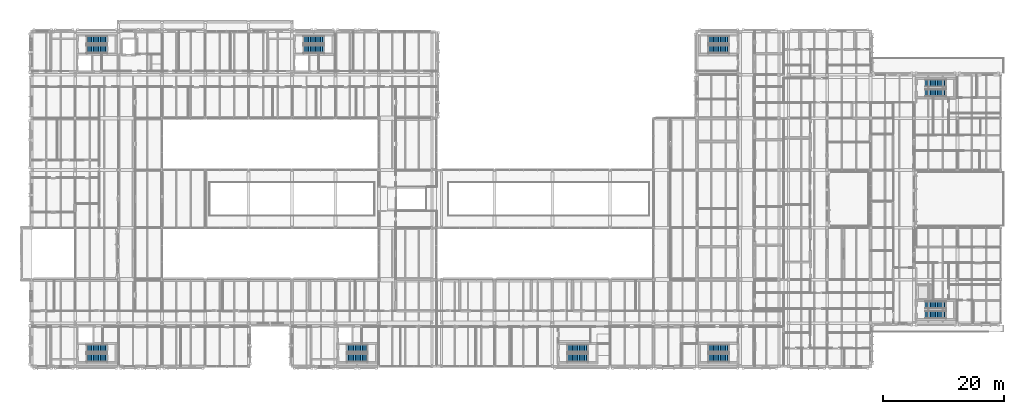
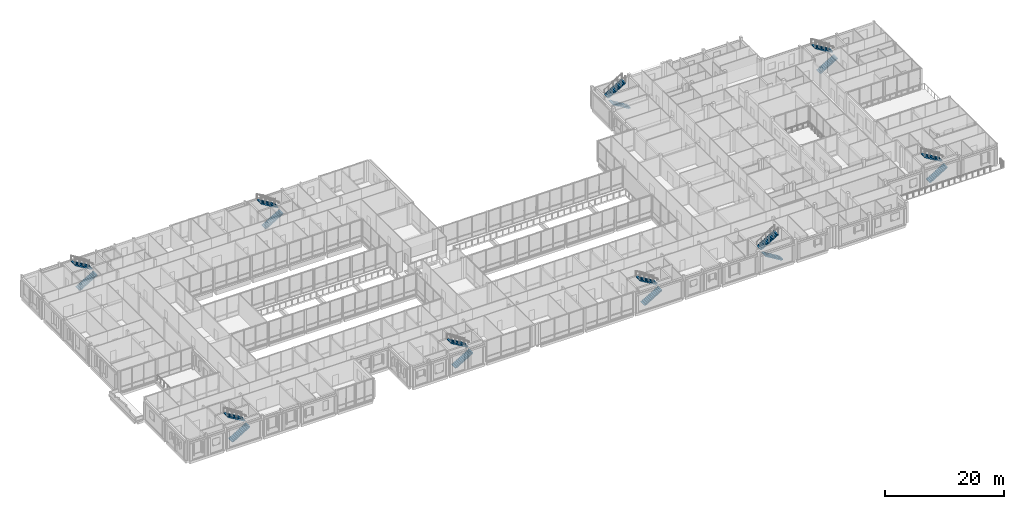
# One storey, part 124 of 146: 18 stair flights, 9 elements without a shape of their own.
"""IFC4 building model written with IfcOpenShell, lengths in metres."""

import ifcopenshell
import ifcopenshell.guid

model = None  # the IFC model being written
_history = None  # IfcOwnerHistory: only IFC2X3 demands one
_inside = {}  # id of a spatial element -> (the spatial element, [elements in it])
_under = {}  # id of a project, library or spatial element -> (it, [spatial elements below it])
_declared = {}  # id of a project -> (the project, [libraries it declares])
_typed = {}  # id of a type object -> (the type object, [elements of that type])
_made_of = {}  # id of a material, layer set ... -> (it, [elements and type objects made of it])


def new_model(schema):
    """Start an empty IFC model of exactly this schema.

    Asked for "IFC4X3", IfcOpenShell would pick the latest addendum, in which some entities
    have other attributes; the version numbers below select the first issue.
    IFC2X3 requires an IfcOwnerHistory on every rooted entity: one is made here for all.
    """
    global model, _history
    if schema == "IFC4X3":
        model = ifcopenshell.file(schema_version=(4, 3, 0, 0))
    else:
        model = ifcopenshell.file(schema=schema)
    _inside.clear()
    _under.clear()
    _declared.clear()
    _typed.clear()
    _made_of.clear()
    _history = None
    if model.schema == "IFC2X3":
        org = make("IfcOrganization", Name="unknown")
        user = make(
            "IfcPersonAndOrganization",
            ThePerson=make("IfcPerson", FamilyName="unknown"),
            TheOrganization=org,
        )
        app = make(
            "IfcApplication",
            ApplicationDeveloper=org,
            Version="unknown",
            ApplicationFullName="unknown",
            ApplicationIdentifier="unknown",
        )
        _history = make(
            "IfcOwnerHistory",
            OwningUser=user,
            OwningApplication=app,
            ChangeAction="ADDED",
            CreationDate=0,
        )
    return model


def make(cls, **values):
    """One entity of the class cls with the attributes given. An attribute that is None is left unset."""
    return model.create_entity(
        cls, **{name: value for name, value in values.items() if value is not None}
    )


def rooted(cls, **values):
    """An entity with a GlobalId (a new one), such as an element, a storey or a relation."""
    return make(cls, GlobalId=ifcopenshell.guid.new(), OwnerHistory=_history, **values)


def si_unit(unit_type, name, prefix=None):
    """IfcSIUnit, for example si_unit("LENGTHUNIT", "METRE", prefix="MILLI")."""
    return make("IfcSIUnit", UnitType=unit_type, Prefix=prefix, Name=name)


def assignment(units):
    """IfcUnitAssignment: the units of a project."""
    return None if units is None else make("IfcUnitAssignment", Units=units)


def point(xyz):
    """IfcCartesianPoint."""
    return None if xyz is None else make("IfcCartesianPoint", Coordinates=xyz)


def direction(xyz):
    """IfcDirection."""
    return None if xyz is None else make("IfcDirection", DirectionRatios=xyz)


def frame(location, z_axis=None, x_axis=None):
    """IfcAxis2Placement3D, a coordinate frame: its origin and axes. An axis left out is left unset."""
    return make(
        "IfcAxis2Placement3D",
        Location=point(location),
        Axis=direction(z_axis),
        RefDirection=direction(x_axis),
    )


def origin():
    """The frame at (0, 0, 0) with its axes left unset."""
    return frame((0.0, 0.0, 0.0))


def place(relative_to, where):
    """IfcLocalPlacement: puts the frame where relative to a parent placement (None: the world)."""
    return make(
        "IfcLocalPlacement", PlacementRelTo=relative_to, RelativePlacement=where
    )


def context(
    kind, dimensions, precision=None, world=None, true_north=None, identifier=None
):
    """IfcGeometricRepresentationContext, for example the 3D "Model" context."""
    return make(
        "IfcGeometricRepresentationContext",
        ContextIdentifier=identifier,
        ContextType=kind,
        CoordinateSpaceDimension=dimensions,
        Precision=precision,
        WorldCoordinateSystem=world,
        TrueNorth=true_north,
    )


def subcontext(parent, identifier, kind, view, scale=None):
    """IfcGeometricRepresentationSubContext, for example "Body" below "Model"."""
    return make(
        "IfcGeometricRepresentationSubContext",
        ContextIdentifier=identifier,
        ContextType=kind,
        ParentContext=parent,
        TargetScale=scale,
        TargetView=view,
    )


def project(units=None, contexts=None):
    """IfcProject with its units and contexts."""
    return rooted(
        "IfcProject",
        Name="project",
        RepresentationContexts=contexts,
        UnitsInContext=assignment(units),
    )


def spatial(cls, under=None, at=None, **own):
    """A site, building, storey or space (cls), placed at a placement, below another one or the project."""
    s = rooted(cls, ObjectPlacement=at, **own)
    if under is not None:
        _under.setdefault(under.id(), (under, []))[1].append(s)
    return s


def polyline(points):
    """IfcPolyline through the points."""
    return make("IfcPolyline", Points=[point(p) for p in points])


def outline(outer, holes=None, kind="AREA"):
    """IfcArbitraryClosedProfileDef: a profile drawn as a closed curve; with holes, ...WithVoids."""
    if holes is None:
        return make("IfcArbitraryClosedProfileDef", ProfileType=kind, OuterCurve=outer)
    return make(
        "IfcArbitraryProfileDefWithVoids",
        ProfileType=kind,
        OuterCurve=outer,
        InnerCurves=holes,
    )


def extrude(swept, where, along, depth):
    """IfcExtrudedAreaSolid: the profile swept, set in the frame where, extruded along a direction by depth."""
    return make(
        "IfcExtrudedAreaSolid",
        SweptArea=swept,
        Position=where,
        ExtrudedDirection=direction(along),
        Depth=depth,
    )


def shape(context_of_items, identifier, shape_type, items):
    """IfcShapeRepresentation: the items that make up one representation, for example the "Body"."""
    return make(
        "IfcShapeRepresentation",
        ContextOfItems=context_of_items,
        RepresentationIdentifier=identifier,
        RepresentationType=shape_type,
        Items=items,
    )


def material(Name=None, Category=None):
    """IfcMaterial."""
    return make("IfcMaterial", Name=Name, Category=Category)


def made_of(thing, what):
    """Note that an element or type object is made of a material, layer set ...; save() writes the relation."""
    if what is not None:
        _made_of.setdefault(what.id(), (what, []))[1].append(thing)
    return thing


def type_object(cls, material=None, **own):
    """A type object (cls), such as IfcWallType, which elements share."""
    return made_of(rooted(cls, **own), material)


def element(
    cls,
    number,
    at=None,
    inside=None,
    cuts=None,
    type_object=None,
    material=None,
    context=None,
    identifier="Body",
    shape_type=None,
    held_by="IfcProductDefinitionShape",
    body=None,
    shapes=None,
    **own,
):
    """One element of the class cls, such as IfcWall. Its Tag is "e" and its number.

    at: its placement. inside: the storey or other place that contains it. cuts: it is an
    opening in that element (IfcRelVoidsElement). A single representation is given by context,
    identifier, shape_type and body (its items); several are given by shapes. held_by: the class
    of the entity that holds the representations. save() writes the other relations.
    """
    e = rooted(cls, Tag="e%d" % number, ObjectPlacement=at, **own)
    if body is not None:
        shapes = [shape(context, identifier, shape_type, body)]
    if shapes is not None:
        e.Representation = make(held_by, Representations=shapes)
    if inside is not None:
        _inside.setdefault(inside.id(), (inside, []))[1].append(e)
    if cuts is not None:
        rooted(
            "IfcRelVoidsElement", RelatingBuildingElement=cuts, RelatedOpeningElement=e
        )
    if type_object is not None:
        _typed.setdefault(type_object.id(), (type_object, []))[1].append(e)
    return made_of(e, material)


def aggregate(whole, parts):
    """IfcRelAggregates: a whole, such as a stair, and the parts it consists of."""
    return rooted("IfcRelAggregates", RelatingObject=whole, RelatedObjects=parts)


def save(model, path):
    """Write the relations noted so far, then the file.

    IfcRelAggregates (storeys below a building ...), IfcRelContainedInSpatialStructure (elements
    in a storey), IfcRelDefinesByType, IfcRelAssociatesMaterial and IfcRelDeclares: one each for
    every whole, place, type object, material and project.
    """
    for whole, parts in _under.values():
        aggregate(whole, parts)
    for where, things in _inside.values():
        rooted(
            "IfcRelContainedInSpatialStructure",
            RelatedElements=things,
            RelatingStructure=where,
        )
    for kind, things in _typed.values():
        rooted("IfcRelDefinesByType", RelatedObjects=things, RelatingType=kind)
    for what, things in _made_of.values():
        rooted("IfcRelAssociatesMaterial", RelatedObjects=things, RelatingMaterial=what)
    for by, libraries in _declared.values():
        rooted("IfcRelDeclares", RelatingContext=by, RelatedDefinitions=libraries)
    model.write(path)


model = new_model("IFC4")

# Units and contexts
model_context = context("Model", 3, precision=1e-05, world=origin(), true_north=direction((0.0, 1.0)))
body_context = subcontext(model_context, "Body", "Model", "MODEL_VIEW")
ifc_project = project(units=[si_unit("LENGTHUNIT", "METRE"), si_unit("AREAUNIT", "SQUARE_METRE"), si_unit("VOLUMEUNIT", "CUBIC_METRE"), si_unit("PLANEANGLEUNIT", "RADIAN"), si_unit("MASSUNIT", "GRAM", prefix="KILO")], contexts=[model_context])

# Site, building, storey
site_placement = place(None, origin())
site = spatial("IfcSite", under=ifc_project, at=site_placement, CompositionType="ELEMENT")
building_placement = place(site_placement, origin())
building = spatial("IfcBuilding", under=site, at=building_placement, Name="Hawrajan Terrace Health Centre", CompositionType="ELEMENT")
storey_placement = place(building_placement, frame((0.0, 0.0, 4.5)))
storey = spatial("IfcBuildingStorey", under=building, at=storey_placement, Name="L01", CompositionType="ELEMENT", Elevation=4.5)

# Stair, stair flights
ifc_material = material(Name="Concrete C40/50", Category="concrete")
stair_type_1 = type_object("IfcStairType", Name="Stair_4500_W1250", PredefinedType="HALF_TURN_STAIR", material=ifc_material)
stair_1_placement = place(storey_placement, origin())
stair_1 = element("IfcStair", 1, at=stair_1_placement, inside=storey, type_object=stair_type_1, Name="Stair ST-8-L01", PredefinedType="HALF_TURN_STAIR")
stair_flight_type_1 = type_object("IfcStairFlightType", Name="StairFlight_4500_W1250", PredefinedType="STRAIGHT", material=ifc_material)
stair_flight_1_placement = place(storey_placement, frame((152.875, 12.784912109375, 0.0), z_axis=(0.0, 0.0, 1.0), x_axis=(1.0, 0.0, 0.0)))
stair_flight_1 = element("IfcStairFlight", 2, at=stair_flight_1_placement, type_object=stair_flight_type_1, Name="Stair flight ST-8-L01-F1", NumberOfRisers=13, NumberOfTreads=12, PredefinedType="STRAIGHT", RiserHeight=0.173077, TreadLength=0.2875, context=body_context, shape_type="SweptSolid", body=[
    extrude(outline(polyline([(0.0, 0.0), (0.0, 0.173095703125), (0.28759765625, 0.173095703125), (0.28759765625, 0.34619140625), (0.574951171875, 0.34619140625), (0.574951171875, 0.519287109375), (0.862548828125, 0.519287109375), (0.862548828125, 0.6923828125), (1.14990234375, 0.6923828125), (1.14990234375, 0.865478515625), (1.4375, 0.865478515625), (1.4375, 1.03857421875), (1.72509765625, 1.03857421875), (1.72509765625, 1.21142578125), (2.012451171875, 1.21142578125), (2.012451171875, 1.384521484375), (2.300048828125, 1.384521484375), (2.300048828125, 1.5576171875), (2.58740234375, 1.5576171875), (2.58740234375, 1.730712890625), (2.875, 1.730712890625), (2.875, 1.90380859375), (3.16259765625, 1.90380859375), (3.16259765625, 2.076904296875), (3.449951171875, 2.076904296875), (3.449951171875, 2.25), (3.449951171875, 1.866943359375), (0.348876953125, 0.0), (0.0, 0.0)])), frame((0.0, 0.625, 0.0), z_axis=(0.0, -1.0, 0.0), x_axis=(1.0, 0.0, 0.0)), (0.0, 0.0, 1.0), 1.25),
])
stair_flight_2_placement = place(storey_placement, frame((156.324951171875, 14.4150390625, 2.25), z_axis=(0.0, 0.0, 1.0), x_axis=(-1.0, 0.0, 0.0)))
stair_flight_2 = element("IfcStairFlight", 3, at=stair_flight_2_placement, type_object=stair_flight_type_1, Name="Stair flight ST-8-L01-F2", NumberOfRisers=13, NumberOfTreads=12, PredefinedType="STRAIGHT", RiserHeight=0.173077, TreadLength=0.2875, context=body_context, shape_type="SweptSolid", body=[
    extrude(outline(polyline([(0.0, 0.0), (0.0, 0.173095703125), (0.28759765625, 0.173095703125), (0.28759765625, 0.34619140625), (0.574951171875, 0.34619140625), (0.574951171875, 0.519287109375), (0.862548828125, 0.519287109375), (0.862548828125, 0.6923828125), (1.14990234375, 0.6923828125), (1.14990234375, 0.865478515625), (1.4375, 0.865478515625), (1.4375, 1.03857421875), (1.72509765625, 1.03857421875), (1.72509765625, 1.21142578125), (2.012451171875, 1.21142578125), (2.012451171875, 1.384521484375), (2.300048828125, 1.384521484375), (2.300048828125, 1.5576171875), (2.58740234375, 1.5576171875), (2.58740234375, 1.730712890625), (2.875, 1.730712890625), (2.875, 1.90380859375), (3.16259765625, 1.90380859375), (3.16259765625, 2.076904296875), (3.449951171875, 2.076904296875), (3.449951171875, 2.25), (3.449951171875, 1.866943359375), (0.348876953125, 0.0), (0.0, 0.0)])), frame((0.0, 0.625, 0.0), z_axis=(0.0, -1.0, 0.0), x_axis=(1.0, 0.0, 0.0)), (0.0, 0.0, 1.0), 1.25),
])
aggregate(stair_1, [stair_flight_1, stair_flight_2])

stair_2_placement = place(storey_placement, origin())
stair_2 = element("IfcStair", 4, at=stair_2_placement, inside=storey, type_object=stair_type_1, Name="Stair ST-9-L01", PredefinedType="HALF_TURN_STAIR")
stair_flight_3_placement = place(storey_placement, frame((152.875, 49.5849609375, 0.0), z_axis=(0.0, 0.0, 1.0), x_axis=(1.0, 0.0, 0.0)))
stair_flight_3 = element("IfcStairFlight", 5, at=stair_flight_3_placement, type_object=stair_flight_type_1, Name="Stair flight ST-9-L01-F1", NumberOfRisers=13, NumberOfTreads=12, PredefinedType="STRAIGHT", RiserHeight=0.173077, TreadLength=0.2875, context=body_context, shape_type="SweptSolid", body=[
    extrude(outline(polyline([(0.0, 0.0), (0.0, 0.173095703125), (0.28759765625, 0.173095703125), (0.28759765625, 0.34619140625), (0.574951171875, 0.34619140625), (0.574951171875, 0.519287109375), (0.862548828125, 0.519287109375), (0.862548828125, 0.6923828125), (1.14990234375, 0.6923828125), (1.14990234375, 0.865478515625), (1.4375, 0.865478515625), (1.4375, 1.03857421875), (1.72509765625, 1.03857421875), (1.72509765625, 1.21142578125), (2.012451171875, 1.21142578125), (2.012451171875, 1.384521484375), (2.300048828125, 1.384521484375), (2.300048828125, 1.5576171875), (2.58740234375, 1.5576171875), (2.58740234375, 1.730712890625), (2.875, 1.730712890625), (2.875, 1.90380859375), (3.16259765625, 1.90380859375), (3.16259765625, 2.076904296875), (3.449951171875, 2.076904296875), (3.449951171875, 2.25), (3.449951171875, 1.866943359375), (0.348876953125, 0.0), (0.0, 0.0)])), frame((0.0, 0.625, 0.0), z_axis=(0.0, -1.0, 0.0), x_axis=(1.0, 0.0, 0.0)), (0.0, 0.0, 1.0), 1.25),
])
stair_flight_4_placement = place(storey_placement, frame((156.324951171875, 51.215087890625, 2.25), z_axis=(0.0, 0.0, 1.0), x_axis=(-1.0, 0.0, 0.0)))
stair_flight_4 = element("IfcStairFlight", 6, at=stair_flight_4_placement, type_object=stair_flight_type_1, Name="Stair flight ST-9-L01-F2", NumberOfRisers=13, NumberOfTreads=12, PredefinedType="STRAIGHT", RiserHeight=0.173077, TreadLength=0.2875, context=body_context, shape_type="SweptSolid", body=[
    extrude(outline(polyline([(0.0, 0.0), (0.0, 0.173095703125), (0.28759765625, 0.173095703125), (0.28759765625, 0.34619140625), (0.574951171875, 0.34619140625), (0.574951171875, 0.519287109375), (0.862548828125, 0.519287109375), (0.862548828125, 0.6923828125), (1.14990234375, 0.6923828125), (1.14990234375, 0.865478515625), (1.4375, 0.865478515625), (1.4375, 1.03857421875), (1.72509765625, 1.03857421875), (1.72509765625, 1.21142578125), (2.012451171875, 1.21142578125), (2.012451171875, 1.384521484375), (2.300048828125, 1.384521484375), (2.300048828125, 1.5576171875), (2.58740234375, 1.5576171875), (2.58740234375, 1.730712890625), (2.875, 1.730712890625), (2.875, 1.90380859375), (3.16259765625, 1.90380859375), (3.16259765625, 2.076904296875), (3.449951171875, 2.076904296875), (3.449951171875, 2.25), (3.449951171875, 1.866943359375), (0.348876953125, 0.0), (0.0, 0.0)])), frame((0.0, 0.625, 0.0), z_axis=(0.0, -1.0, 0.0), x_axis=(1.0, 0.0, 0.0)), (0.0, 0.0, 1.0), 1.25),
])
aggregate(stair_2, [stair_flight_3, stair_flight_4])

stair_type_2 = type_object("IfcStairType", Name="Stair_4500_W1300", PredefinedType="HALF_TURN_STAIR", material=ifc_material)
stair_3_placement = place(storey_placement, origin())
stair_3 = element("IfcStair", 7, at=stair_3_placement, inside=storey, type_object=stair_type_2, Name="Stair ST-1-L01", PredefinedType="HALF_TURN_STAIR")
stair_flight_type_2 = type_object("IfcStairFlightType", Name="StairFlight_4500_W1300", PredefinedType="STRAIGHT", material=ifc_material)
stair_flight_5_placement = place(storey_placement, frame((13.675048828125, 56.81005859375, 0.0), z_axis=(0.0, 0.0, 1.0), x_axis=(1.0, 0.0, 0.0)))
stair_flight_5 = element("IfcStairFlight", 8, at=stair_flight_5_placement, type_object=stair_flight_type_2, Name="Stair flight ST-1-L01-F1", NumberOfRisers=13, NumberOfTreads=12, PredefinedType="STRAIGHT", RiserHeight=0.173077, TreadLength=0.2875, context=body_context, shape_type="SweptSolid", body=[
    extrude(outline(polyline([(0.0, 0.0), (0.0, 0.173095703125), (0.28759765625, 0.173095703125), (0.28759765625, 0.34619140625), (0.574951171875, 0.34619140625), (0.574951171875, 0.519287109375), (0.862548828125, 0.519287109375), (0.862548828125, 0.6923828125), (1.14990234375, 0.6923828125), (1.14990234375, 0.865478515625), (1.4375, 0.865478515625), (1.4375, 1.03857421875), (1.72509765625, 1.03857421875), (1.72509765625, 1.21142578125), (2.012451171875, 1.21142578125), (2.012451171875, 1.384521484375), (2.300048828125, 1.384521484375), (2.300048828125, 1.5576171875), (2.58740234375, 1.5576171875), (2.58740234375, 1.730712890625), (2.875, 1.730712890625), (2.875, 1.90380859375), (3.16259765625, 1.90380859375), (3.16259765625, 2.076904296875), (3.449951171875, 2.076904296875), (3.449951171875, 2.25), (3.449951171875, 1.866943359375), (0.348876953125, 0.0), (0.0, 0.0)])), frame((0.0, 0.64990234375, 0.0), z_axis=(0.0, -1.0, 0.0), x_axis=(1.0, 0.0, 0.0)), (0.0, 0.0, 1.0), 1.300048828125),
])
stair_flight_6_placement = place(storey_placement, frame((17.125, 58.389892578125, 2.25), z_axis=(0.0, 0.0, 1.0), x_axis=(-1.0, 0.0, 0.0)))
stair_flight_6 = element("IfcStairFlight", 9, at=stair_flight_6_placement, type_object=stair_flight_type_2, Name="Stair flight ST-1-L01-F2", NumberOfRisers=13, NumberOfTreads=12, PredefinedType="STRAIGHT", RiserHeight=0.173077, TreadLength=0.2875, context=body_context, shape_type="SweptSolid", body=[
    extrude(outline(polyline([(0.0, 0.0), (0.0, 0.173095703125), (0.28759765625, 0.173095703125), (0.28759765625, 0.34619140625), (0.574951171875, 0.34619140625), (0.574951171875, 0.519287109375), (0.862548828125, 0.519287109375), (0.862548828125, 0.6923828125), (1.14990234375, 0.6923828125), (1.14990234375, 0.865478515625), (1.4375, 0.865478515625), (1.4375, 1.03857421875), (1.72509765625, 1.03857421875), (1.72509765625, 1.21142578125), (2.012451171875, 1.21142578125), (2.012451171875, 1.384521484375), (2.300048828125, 1.384521484375), (2.300048828125, 1.5576171875), (2.58740234375, 1.5576171875), (2.58740234375, 1.730712890625), (2.875, 1.730712890625), (2.875, 1.90380859375), (3.16259765625, 1.90380859375), (3.16259765625, 2.076904296875), (3.449951171875, 2.076904296875), (3.449951171875, 2.25), (3.449951171875, 1.866943359375), (0.348876953125, 0.0), (0.0, 0.0)])), frame((0.0, 0.64990234375, 0.0), z_axis=(0.0, -1.0, 0.0), x_axis=(1.0, 0.0, 0.0)), (0.0, 0.0, 1.0), 1.300048828125),
])
aggregate(stair_3, [stair_flight_5, stair_flight_6])

stair_4_placement = place(storey_placement, origin())
stair_4 = element("IfcStair", 10, at=stair_4_placement, inside=storey, type_object=stair_type_2, Name="Stair ST-2-L01", PredefinedType="HALF_TURN_STAIR")
stair_flight_7_placement = place(storey_placement, frame((49.675048828125, 56.81005859375, 0.0), z_axis=(0.0, 0.0, 1.0), x_axis=(1.0, 0.0, 0.0)))
stair_flight_7 = element("IfcStairFlight", 11, at=stair_flight_7_placement, type_object=stair_flight_type_2, Name="Stair flight ST-2-L01-F1", NumberOfRisers=13, NumberOfTreads=12, PredefinedType="STRAIGHT", RiserHeight=0.173077, TreadLength=0.2875, context=body_context, shape_type="SweptSolid", body=[
    extrude(outline(polyline([(0.0, 0.0), (0.0, 0.173095703125), (0.28759765625, 0.173095703125), (0.28759765625, 0.34619140625), (0.574951171875, 0.34619140625), (0.574951171875, 0.519287109375), (0.862548828125, 0.519287109375), (0.862548828125, 0.6923828125), (1.14990234375, 0.6923828125), (1.14990234375, 0.865478515625), (1.4375, 0.865478515625), (1.4375, 1.03857421875), (1.72509765625, 1.03857421875), (1.72509765625, 1.21142578125), (2.012451171875, 1.21142578125), (2.012451171875, 1.384521484375), (2.300048828125, 1.384521484375), (2.300048828125, 1.5576171875), (2.58740234375, 1.5576171875), (2.58740234375, 1.730712890625), (2.875, 1.730712890625), (2.875, 1.90380859375), (3.16259765625, 1.90380859375), (3.16259765625, 2.076904296875), (3.449951171875, 2.076904296875), (3.449951171875, 2.25), (3.449951171875, 1.866943359375), (0.348876953125, 0.0), (0.0, 0.0)])), frame((0.0, 0.64990234375, 0.0), z_axis=(0.0, -1.0, 0.0), x_axis=(1.0, 0.0, 0.0)), (0.0, 0.0, 1.0), 1.300048828125),
])
stair_flight_8_placement = place(storey_placement, frame((53.125, 58.389892578125, 2.25), z_axis=(0.0, 0.0, 1.0), x_axis=(-1.0, 0.0, 0.0)))
stair_flight_8 = element("IfcStairFlight", 12, at=stair_flight_8_placement, type_object=stair_flight_type_2, Name="Stair flight ST-2-L01-F2", NumberOfRisers=13, NumberOfTreads=12, PredefinedType="STRAIGHT", RiserHeight=0.173077, TreadLength=0.2875, context=body_context, shape_type="SweptSolid", body=[
    extrude(outline(polyline([(0.0, 0.0), (0.0, 0.173095703125), (0.28759765625, 0.173095703125), (0.28759765625, 0.34619140625), (0.574951171875, 0.34619140625), (0.574951171875, 0.519287109375), (0.862548828125, 0.519287109375), (0.862548828125, 0.6923828125), (1.14990234375, 0.6923828125), (1.14990234375, 0.865478515625), (1.4375, 0.865478515625), (1.4375, 1.03857421875), (1.72509765625, 1.03857421875), (1.72509765625, 1.21142578125), (2.012451171875, 1.21142578125), (2.012451171875, 1.384521484375), (2.300048828125, 1.384521484375), (2.300048828125, 1.5576171875), (2.58740234375, 1.5576171875), (2.58740234375, 1.730712890625), (2.875, 1.730712890625), (2.875, 1.90380859375), (3.16259765625, 1.90380859375), (3.16259765625, 2.076904296875), (3.449951171875, 2.076904296875), (3.449951171875, 2.25), (3.449951171875, 1.866943359375), (0.348876953125, 0.0), (0.0, 0.0)])), frame((0.0, 0.64990234375, 0.0), z_axis=(0.0, -1.0, 0.0), x_axis=(1.0, 0.0, 0.0)), (0.0, 0.0, 1.0), 1.300048828125),
])
aggregate(stair_4, [stair_flight_7, stair_flight_8])

stair_5_placement = place(storey_placement, origin())
stair_5 = element("IfcStair", 13, at=stair_5_placement, inside=storey, type_object=stair_type_2, Name="Stair ST-3-L01", PredefinedType="HALF_TURN_STAIR")
stair_flight_9_placement = place(storey_placement, frame((13.675048828125, 5.610107421875, 0.0), z_axis=(0.0, 0.0, 1.0), x_axis=(1.0, 0.0, 0.0)))
stair_flight_9 = element("IfcStairFlight", 14, at=stair_flight_9_placement, type_object=stair_flight_type_2, Name="Stair flight ST-3-L01-F1", NumberOfRisers=13, NumberOfTreads=12, PredefinedType="STRAIGHT", RiserHeight=0.173077, TreadLength=0.2875, context=body_context, shape_type="SweptSolid", body=[
    extrude(outline(polyline([(0.0, 0.0), (0.0, 0.173095703125), (0.28759765625, 0.173095703125), (0.28759765625, 0.34619140625), (0.574951171875, 0.34619140625), (0.574951171875, 0.519287109375), (0.862548828125, 0.519287109375), (0.862548828125, 0.6923828125), (1.14990234375, 0.6923828125), (1.14990234375, 0.865478515625), (1.4375, 0.865478515625), (1.4375, 1.03857421875), (1.72509765625, 1.03857421875), (1.72509765625, 1.21142578125), (2.012451171875, 1.21142578125), (2.012451171875, 1.384521484375), (2.300048828125, 1.384521484375), (2.300048828125, 1.5576171875), (2.58740234375, 1.5576171875), (2.58740234375, 1.730712890625), (2.875, 1.730712890625), (2.875, 1.90380859375), (3.16259765625, 1.90380859375), (3.16259765625, 2.076904296875), (3.449951171875, 2.076904296875), (3.449951171875, 2.25), (3.449951171875, 1.866943359375), (0.348876953125, 0.0), (0.0, 0.0)])), frame((0.0, 0.64990234375, 0.0), z_axis=(0.0, -1.0, 0.0), x_axis=(1.0, 0.0, 0.0)), (0.0, 0.0, 1.0), 1.300048828125),
])
stair_flight_10_placement = place(storey_placement, frame((17.125, 7.18994140625, 2.25), z_axis=(0.0, 0.0, 1.0), x_axis=(-1.0, 0.0, 0.0)))
stair_flight_10 = element("IfcStairFlight", 15, at=stair_flight_10_placement, type_object=stair_flight_type_2, Name="Stair flight ST-3-L01-F2", NumberOfRisers=13, NumberOfTreads=12, PredefinedType="STRAIGHT", RiserHeight=0.173077, TreadLength=0.2875, context=body_context, shape_type="SweptSolid", body=[
    extrude(outline(polyline([(0.0, 0.0), (0.0, 0.173095703125), (0.28759765625, 0.173095703125), (0.28759765625, 0.34619140625), (0.574951171875, 0.34619140625), (0.574951171875, 0.519287109375), (0.862548828125, 0.519287109375), (0.862548828125, 0.6923828125), (1.14990234375, 0.6923828125), (1.14990234375, 0.865478515625), (1.4375, 0.865478515625), (1.4375, 1.03857421875), (1.72509765625, 1.03857421875), (1.72509765625, 1.21142578125), (2.012451171875, 1.21142578125), (2.012451171875, 1.384521484375), (2.300048828125, 1.384521484375), (2.300048828125, 1.5576171875), (2.58740234375, 1.5576171875), (2.58740234375, 1.730712890625), (2.875, 1.730712890625), (2.875, 1.90380859375), (3.16259765625, 1.90380859375), (3.16259765625, 2.076904296875), (3.449951171875, 2.076904296875), (3.449951171875, 2.25), (3.449951171875, 1.866943359375), (0.348876953125, 0.0), (0.0, 0.0)])), frame((0.0, 0.64990234375, 0.0), z_axis=(0.0, -1.0, 0.0), x_axis=(1.0, 0.0, 0.0)), (0.0, 0.0, 1.0), 1.300048828125),
])
aggregate(stair_5, [stair_flight_9, stair_flight_10])

stair_6_placement = place(storey_placement, origin())
stair_6 = element("IfcStair", 16, at=stair_6_placement, inside=storey, type_object=stair_type_2, Name="Stair ST-4-L01", PredefinedType="HALF_TURN_STAIR")
stair_flight_11_placement = place(storey_placement, frame((56.875, 5.610107421875, 0.0), z_axis=(0.0, 0.0, 1.0), x_axis=(1.0, 0.0, 0.0)))
stair_flight_11 = element("IfcStairFlight", 17, at=stair_flight_11_placement, type_object=stair_flight_type_2, Name="Stair flight ST-4-L01-F1", NumberOfRisers=13, NumberOfTreads=12, PredefinedType="STRAIGHT", RiserHeight=0.173077, TreadLength=0.2875, context=body_context, shape_type="SweptSolid", body=[
    extrude(outline(polyline([(0.0, 0.0), (0.0, 0.173095703125), (0.28759765625, 0.173095703125), (0.28759765625, 0.34619140625), (0.574951171875, 0.34619140625), (0.574951171875, 0.519287109375), (0.862548828125, 0.519287109375), (0.862548828125, 0.6923828125), (1.14990234375, 0.6923828125), (1.14990234375, 0.865478515625), (1.4375, 0.865478515625), (1.4375, 1.03857421875), (1.72509765625, 1.03857421875), (1.72509765625, 1.21142578125), (2.012451171875, 1.21142578125), (2.012451171875, 1.384521484375), (2.300048828125, 1.384521484375), (2.300048828125, 1.5576171875), (2.58740234375, 1.5576171875), (2.58740234375, 1.730712890625), (2.875, 1.730712890625), (2.875, 1.90380859375), (3.16259765625, 1.90380859375), (3.16259765625, 2.076904296875), (3.449951171875, 2.076904296875), (3.449951171875, 2.25), (3.449951171875, 1.866943359375), (0.348876953125, 0.0), (0.0, 0.0)])), frame((0.0, 0.64990234375, 0.0), z_axis=(0.0, -1.0, 0.0), x_axis=(1.0, 0.0, 0.0)), (0.0, 0.0, 1.0), 1.300048828125),
])
stair_flight_12_placement = place(storey_placement, frame((60.324951171875, 7.18994140625, 2.25), z_axis=(0.0, 0.0, 1.0), x_axis=(-1.0, 0.0, 0.0)))
stair_flight_12 = element("IfcStairFlight", 18, at=stair_flight_12_placement, type_object=stair_flight_type_2, Name="Stair flight ST-4-L01-F2", NumberOfRisers=13, NumberOfTreads=12, PredefinedType="STRAIGHT", RiserHeight=0.173077, TreadLength=0.2875, context=body_context, shape_type="SweptSolid", body=[
    extrude(outline(polyline([(0.0, 0.0), (0.0, 0.173095703125), (0.28759765625, 0.173095703125), (0.28759765625, 0.34619140625), (0.574951171875, 0.34619140625), (0.574951171875, 0.519287109375), (0.862548828125, 0.519287109375), (0.862548828125, 0.6923828125), (1.14990234375, 0.6923828125), (1.14990234375, 0.865478515625), (1.4375, 0.865478515625), (1.4375, 1.03857421875), (1.72509765625, 1.03857421875), (1.72509765625, 1.21142578125), (2.012451171875, 1.21142578125), (2.012451171875, 1.384521484375), (2.300048828125, 1.384521484375), (2.300048828125, 1.5576171875), (2.58740234375, 1.5576171875), (2.58740234375, 1.730712890625), (2.875, 1.730712890625), (2.875, 1.90380859375), (3.16259765625, 1.90380859375), (3.16259765625, 2.076904296875), (3.449951171875, 2.076904296875), (3.449951171875, 2.25), (3.449951171875, 1.866943359375), (0.348876953125, 0.0), (0.0, 0.0)])), frame((0.0, 0.64990234375, 0.0), z_axis=(0.0, -1.0, 0.0), x_axis=(1.0, 0.0, 0.0)), (0.0, 0.0, 1.0), 1.300048828125),
])
aggregate(stair_6, [stair_flight_11, stair_flight_12])

stair_7_placement = place(storey_placement, origin())
stair_7 = element("IfcStair", 19, at=stair_7_placement, inside=storey, type_object=stair_type_2, Name="Stair ST-5-L01", PredefinedType="HALF_TURN_STAIR")
stair_flight_13_placement = place(storey_placement, frame((93.47509765625, 5.610107421875, 0.0), z_axis=(0.0, 0.0, 1.0), x_axis=(1.0, 0.0, 0.0)))
stair_flight_13 = element("IfcStairFlight", 20, at=stair_flight_13_placement, type_object=stair_flight_type_2, Name="Stair flight ST-5-L01-F1", NumberOfRisers=13, NumberOfTreads=12, PredefinedType="STRAIGHT", RiserHeight=0.173077, TreadLength=0.2875, context=body_context, shape_type="SweptSolid", body=[
    extrude(outline(polyline([(0.0, 0.0), (0.0, 0.173095703125), (0.28759765625, 0.173095703125), (0.28759765625, 0.34619140625), (0.574951171875, 0.34619140625), (0.574951171875, 0.519287109375), (0.862548828125, 0.519287109375), (0.862548828125, 0.6923828125), (1.14990234375, 0.6923828125), (1.14990234375, 0.865478515625), (1.4375, 0.865478515625), (1.4375, 1.03857421875), (1.72509765625, 1.03857421875), (1.72509765625, 1.21142578125), (2.012451171875, 1.21142578125), (2.012451171875, 1.384521484375), (2.300048828125, 1.384521484375), (2.300048828125, 1.5576171875), (2.58740234375, 1.5576171875), (2.58740234375, 1.730712890625), (2.875, 1.730712890625), (2.875, 1.90380859375), (3.16259765625, 1.90380859375), (3.16259765625, 2.076904296875), (3.449951171875, 2.076904296875), (3.449951171875, 2.25), (3.449951171875, 1.866943359375), (0.348876953125, 0.0), (0.0, 0.0)])), frame((0.0, 0.64990234375, 0.0), z_axis=(0.0, -1.0, 0.0), x_axis=(1.0, 0.0, 0.0)), (0.0, 0.0, 1.0), 1.300048828125),
])
stair_flight_14_placement = place(storey_placement, frame((96.925048828125, 7.18994140625, 2.25), z_axis=(0.0, 0.0, 1.0), x_axis=(-1.0, 0.0, 0.0)))
stair_flight_14 = element("IfcStairFlight", 21, at=stair_flight_14_placement, type_object=stair_flight_type_2, Name="Stair flight ST-5-L01-F2", NumberOfRisers=13, NumberOfTreads=12, PredefinedType="STRAIGHT", RiserHeight=0.173077, TreadLength=0.2875, context=body_context, shape_type="SweptSolid", body=[
    extrude(outline(polyline([(0.0, 0.0), (0.0, 0.173095703125), (0.28759765625, 0.173095703125), (0.28759765625, 0.34619140625), (0.574951171875, 0.34619140625), (0.574951171875, 0.519287109375), (0.862548828125, 0.519287109375), (0.862548828125, 0.6923828125), (1.14990234375, 0.6923828125), (1.14990234375, 0.865478515625), (1.4375, 0.865478515625), (1.4375, 1.03857421875), (1.72509765625, 1.03857421875), (1.72509765625, 1.21142578125), (2.012451171875, 1.21142578125), (2.012451171875, 1.384521484375), (2.300048828125, 1.384521484375), (2.300048828125, 1.5576171875), (2.58740234375, 1.5576171875), (2.58740234375, 1.730712890625), (2.875, 1.730712890625), (2.875, 1.90380859375), (3.16259765625, 1.90380859375), (3.16259765625, 2.076904296875), (3.449951171875, 2.076904296875), (3.449951171875, 2.25), (3.449951171875, 1.866943359375), (0.348876953125, 0.0), (0.0, 0.0)])), frame((0.0, 0.64990234375, 0.0), z_axis=(0.0, -1.0, 0.0), x_axis=(1.0, 0.0, 0.0)), (0.0, 0.0, 1.0), 1.300048828125),
])
aggregate(stair_7, [stair_flight_13, stair_flight_14])

stair_8_placement = place(storey_placement, origin())
stair_8 = element("IfcStair", 22, at=stair_8_placement, inside=storey, type_object=stair_type_2, Name="Stair ST-6-L01", PredefinedType="HALF_TURN_STAIR")
stair_flight_15_placement = place(storey_placement, frame((120.324951171875, 5.610107421875, 0.0), z_axis=(0.0, 0.0, 1.0), x_axis=(-1.0, 0.0, 0.0)))
stair_flight_15 = element("IfcStairFlight", 23, at=stair_flight_15_placement, type_object=stair_flight_type_2, Name="Stair flight ST-6-L01-F1", NumberOfRisers=13, NumberOfTreads=12, PredefinedType="STRAIGHT", RiserHeight=0.173077, TreadLength=0.2875, context=body_context, shape_type="SweptSolid", body=[
    extrude(outline(polyline([(0.0, 0.0), (0.0, 0.173095703125), (0.28759765625, 0.173095703125), (0.28759765625, 0.34619140625), (0.574951171875, 0.34619140625), (0.574951171875, 0.519287109375), (0.862548828125, 0.519287109375), (0.862548828125, 0.6923828125), (1.14990234375, 0.6923828125), (1.14990234375, 0.865478515625), (1.4375, 0.865478515625), (1.4375, 1.03857421875), (1.72509765625, 1.03857421875), (1.72509765625, 1.21142578125), (2.012451171875, 1.21142578125), (2.012451171875, 1.384521484375), (2.300048828125, 1.384521484375), (2.300048828125, 1.5576171875), (2.58740234375, 1.5576171875), (2.58740234375, 1.730712890625), (2.875, 1.730712890625), (2.875, 1.90380859375), (3.16259765625, 1.90380859375), (3.16259765625, 2.076904296875), (3.449951171875, 2.076904296875), (3.449951171875, 2.25), (3.449951171875, 1.866943359375), (0.348876953125, 0.0), (0.0, 0.0)])), frame((0.0, 0.64990234375, 0.0), z_axis=(0.0, -1.0, 0.0), x_axis=(1.0, 0.0, 0.0)), (0.0, 0.0, 1.0), 1.300048828125),
])
stair_flight_16_placement = place(storey_placement, frame((116.875, 7.18994140625, 2.25), z_axis=(0.0, 0.0, 1.0), x_axis=(1.0, 0.0, 0.0)))
stair_flight_16 = element("IfcStairFlight", 24, at=stair_flight_16_placement, type_object=stair_flight_type_2, Name="Stair flight ST-6-L01-F2", NumberOfRisers=13, NumberOfTreads=12, PredefinedType="STRAIGHT", RiserHeight=0.173077, TreadLength=0.2875, context=body_context, shape_type="SweptSolid", body=[
    extrude(outline(polyline([(0.0, 0.0), (0.0, 0.173095703125), (0.28759765625, 0.173095703125), (0.28759765625, 0.34619140625), (0.574951171875, 0.34619140625), (0.574951171875, 0.519287109375), (0.862548828125, 0.519287109375), (0.862548828125, 0.6923828125), (1.14990234375, 0.6923828125), (1.14990234375, 0.865478515625), (1.4375, 0.865478515625), (1.4375, 1.03857421875), (1.72509765625, 1.03857421875), (1.72509765625, 1.21142578125), (2.012451171875, 1.21142578125), (2.012451171875, 1.384521484375), (2.300048828125, 1.384521484375), (2.300048828125, 1.5576171875), (2.58740234375, 1.5576171875), (2.58740234375, 1.730712890625), (2.875, 1.730712890625), (2.875, 1.90380859375), (3.16259765625, 1.90380859375), (3.16259765625, 2.076904296875), (3.449951171875, 2.076904296875), (3.449951171875, 2.25), (3.449951171875, 1.866943359375), (0.348876953125, 0.0), (0.0, 0.0)])), frame((0.0, 0.64990234375, 0.0), z_axis=(0.0, -1.0, 0.0), x_axis=(1.0, 0.0, 0.0)), (0.0, 0.0, 1.0), 1.300048828125),
])
aggregate(stair_8, [stair_flight_15, stair_flight_16])

stair_9_placement = place(storey_placement, origin())
stair_9 = element("IfcStair", 25, at=stair_9_placement, inside=storey, type_object=stair_type_2, Name="Stair ST-7-L01", PredefinedType="HALF_TURN_STAIR")
stair_flight_17_placement = place(storey_placement, frame((120.324951171875, 56.81005859375, 0.0), z_axis=(0.0, 0.0, 1.0), x_axis=(-1.0, 0.0, 0.0)))
stair_flight_17 = element("IfcStairFlight", 26, at=stair_flight_17_placement, type_object=stair_flight_type_2, Name="Stair flight ST-7-L01-F1", NumberOfRisers=13, NumberOfTreads=12, PredefinedType="STRAIGHT", RiserHeight=0.173077, TreadLength=0.2875, context=body_context, shape_type="SweptSolid", body=[
    extrude(outline(polyline([(0.0, 0.0), (0.0, 0.173095703125), (0.28759765625, 0.173095703125), (0.28759765625, 0.34619140625), (0.574951171875, 0.34619140625), (0.574951171875, 0.519287109375), (0.862548828125, 0.519287109375), (0.862548828125, 0.6923828125), (1.14990234375, 0.6923828125), (1.14990234375, 0.865478515625), (1.4375, 0.865478515625), (1.4375, 1.03857421875), (1.72509765625, 1.03857421875), (1.72509765625, 1.21142578125), (2.012451171875, 1.21142578125), (2.012451171875, 1.384521484375), (2.300048828125, 1.384521484375), (2.300048828125, 1.5576171875), (2.58740234375, 1.5576171875), (2.58740234375, 1.730712890625), (2.875, 1.730712890625), (2.875, 1.90380859375), (3.16259765625, 1.90380859375), (3.16259765625, 2.076904296875), (3.449951171875, 2.076904296875), (3.449951171875, 2.25), (3.449951171875, 1.866943359375), (0.348876953125, 0.0), (0.0, 0.0)])), frame((0.0, 0.64990234375, 0.0), z_axis=(0.0, -1.0, 0.0), x_axis=(1.0, 0.0, 0.0)), (0.0, 0.0, 1.0), 1.300048828125),
])
stair_flight_18_placement = place(storey_placement, frame((116.875, 58.389892578125, 2.25), z_axis=(0.0, 0.0, 1.0), x_axis=(1.0, 0.0, 0.0)))
stair_flight_18 = element("IfcStairFlight", 27, at=stair_flight_18_placement, type_object=stair_flight_type_2, Name="Stair flight ST-7-L01-F2", NumberOfRisers=13, NumberOfTreads=12, PredefinedType="STRAIGHT", RiserHeight=0.173077, TreadLength=0.2875, context=body_context, shape_type="SweptSolid", body=[
    extrude(outline(polyline([(0.0, 0.0), (0.0, 0.173095703125), (0.28759765625, 0.173095703125), (0.28759765625, 0.34619140625), (0.574951171875, 0.34619140625), (0.574951171875, 0.519287109375), (0.862548828125, 0.519287109375), (0.862548828125, 0.6923828125), (1.14990234375, 0.6923828125), (1.14990234375, 0.865478515625), (1.4375, 0.865478515625), (1.4375, 1.03857421875), (1.72509765625, 1.03857421875), (1.72509765625, 1.21142578125), (2.012451171875, 1.21142578125), (2.012451171875, 1.384521484375), (2.300048828125, 1.384521484375), (2.300048828125, 1.5576171875), (2.58740234375, 1.5576171875), (2.58740234375, 1.730712890625), (2.875, 1.730712890625), (2.875, 1.90380859375), (3.16259765625, 1.90380859375), (3.16259765625, 2.076904296875), (3.449951171875, 2.076904296875), (3.449951171875, 2.25), (3.449951171875, 1.866943359375), (0.348876953125, 0.0), (0.0, 0.0)])), frame((0.0, 0.64990234375, 0.0), z_axis=(0.0, -1.0, 0.0), x_axis=(1.0, 0.0, 0.0)), (0.0, 0.0, 1.0), 1.300048828125),
])
aggregate(stair_9, [stair_flight_17, stair_flight_18])

save(model, "model.ifc")
